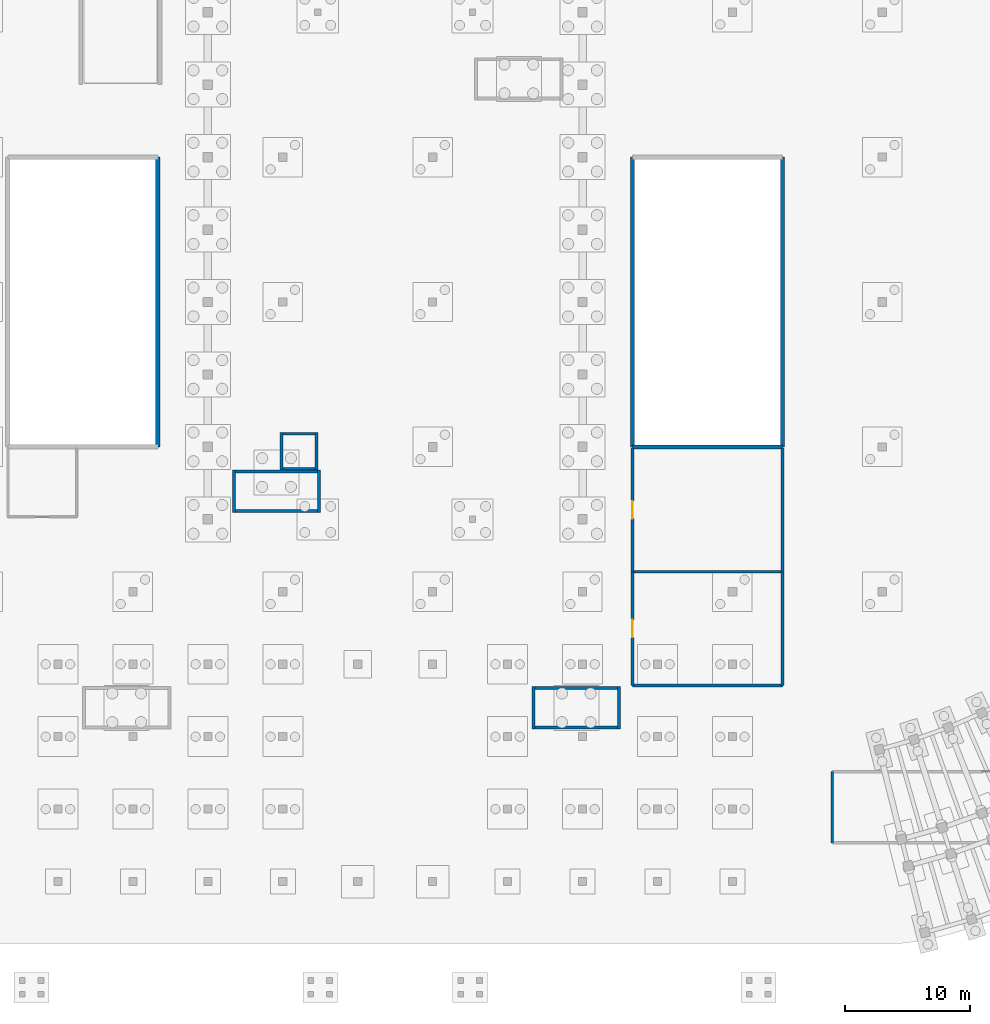
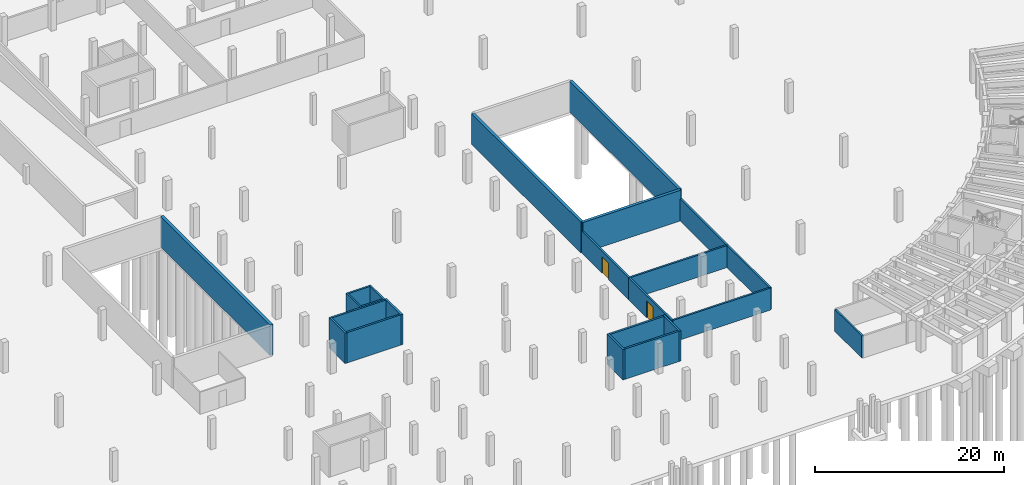
# One storey, part 19 of 29: 23 walls, 2 doors, 2 openings.
"""IFC4 building model written with IfcOpenShell, lengths in metres."""

from ifc_helpers import new_model, si_unit, direction, frame, frame_2d, origin, place, context, subcontext, project, spatial, rectangle, extrude, material, layer, layer_set, type_object, element, fill, save


model = new_model("IFC4")

# Units and contexts
model_context = context("Model", 3, precision=1e-05, world=origin(), true_north=direction((0.0, 1.0)))
body_context = subcontext(model_context, "Body", "Model", "MODEL_VIEW")
ifc_project = project(units=[si_unit("LENGTHUNIT", "METRE"), si_unit("AREAUNIT", "SQUARE_METRE"), si_unit("VOLUMEUNIT", "CUBIC_METRE"), si_unit("PLANEANGLEUNIT", "RADIAN"), si_unit("MASSUNIT", "GRAM", prefix="KILO")], contexts=[model_context])

# Site, building, storey
site_placement = place(None, origin())
site = spatial("IfcSite", under=ifc_project, at=site_placement, CompositionType="ELEMENT")
building_placement = place(site_placement, origin())
building = spatial("IfcBuilding", under=site, at=building_placement, Name="Tanwirah Colonnade Gardens", CompositionType="ELEMENT")
storey_placement = place(building_placement, frame((0.0, 0.0, -4.199951171875)))
storey = spatial("IfcBuildingStorey", under=building, at=storey_placement, Name="B1", CompositionType="ELEMENT", Elevation=-4.199951171875)

# Wall
ifc_material_1 = material(Name="Autoclaved aerated masonry blockwork", Category="masonry")
ifc_layer_1 = layer(ifc_material_1, 0.219970703125)
ifc_layer_set_1 = layer_set([ifc_layer_1], Name="Autoclaved aerated masonry blockwork")
wall_type_1 = type_object("IfcWallType", Name="IW-FFL220", PredefinedType="PARTITIONING", material=ifc_layer_set_1)
wall_1_placement = place(storey_placement, frame((128.0, 13.89990234375, 0.0), z_axis=(0.0, 0.0, 1.0), x_axis=(0.0, 1.0, 0.0)))
element("IfcWall", 1, at=wall_1_placement, inside=storey, type_object=wall_type_1, Name="Interior Partition IW-B1-STR2-W", PredefinedType="PARTITIONING", context=body_context, shape_type="SweptSolid", body=[
    extrude(rectangle(XDim=5.7001953125, YDim=0.219970703125, at=frame_2d((2.85009765625, 0.0))), origin(), (0.0, 0.0, 1.0), 2.849853515625),
])

# Wall, opening, door
wall_2_placement = place(storey_placement, frame((112.0, 26.5, 0.0), z_axis=(0.0, 0.0, 1.0), x_axis=(0.0, 1.0, 0.0)))
wall_2 = element("IfcWall", 2, at=wall_2_placement, inside=storey, type_object=wall_type_1, Name="Interior Partition IW-B1-CYC-W", PredefinedType="PARTITIONING", context=body_context, shape_type="SweptSolid", body=[
    extrude(rectangle(XDim=9.10009765625, YDim=0.219970703125, at=frame_2d((4.550048828125, 0.0))), origin(), (0.0, 0.0, 1.0), 2.849853515625),
])
opening_1_placement = place(wall_2_placement, frame((3.85009765625, 0.0, 0.0)))
opening_1 = element("IfcOpeningElement", 3, at=opening_1_placement, cuts=wall_2, Name="Opening B1-VD1978", PredefinedType="OPENING", context=body_context, shape_type="SweptSolid", body=[
    extrude(rectangle(XDim=1.39990234375, YDim=2.14990234375, at=frame_2d((0.699951171875, 1.074951171875))), frame((0.0, 0.119873046875, 0.0), z_axis=(0.0, -1.0, 0.0), x_axis=(1.0, 0.0, 0.0)), (0.0, 0.0, 1.0), 0.239990234375),
])
ifc_material_2 = material(Name="Steel basement service double fire door", Category="steel")
door_type = type_object("IfcDoorType", Name="ID-B1D14", OperationType="DOUBLE_DOOR_SINGLE_SWING", PredefinedType="DOOR", material=ifc_material_2)
door_1_placement = place(opening_1_placement, origin())
door_1 = element("IfcDoor", 4, at=door_1_placement, inside=storey, type_object=door_type, Name="Civic interior door B1-VD1978", OperationType="DOUBLE_DOOR_SINGLE_SWING", OverallHeight=2.14990234375, OverallWidth=1.39990234375, PredefinedType="DOOR", context=body_context, shape_type="SweptSolid", body=[
    extrude(rectangle(XDim=1.39990234375, YDim=2.14990234375, at=frame_2d((0.699951171875, 1.074951171875))), frame((0.0, 0.02490234375, 0.0), z_axis=(0.0, -1.0, 0.0), x_axis=(1.0, 0.0, 0.0)), (0.0, 0.0, 1.0), 0.050048828125),
])
fill(opening_1, door_1)

# Walls
wall_3_placement = place(storey_placement, frame((112.0, 26.5, 0.0), z_axis=(0.0, 0.0, 1.0), x_axis=(1.0, 0.0, 0.0)))
element("IfcWall", 5, at=wall_3_placement, inside=storey, type_object=wall_type_1, Name="Interior Partition IW-B1-CYC-S", PredefinedType="PARTITIONING", context=body_context, shape_type="SweptSolid", body=[
    extrude(rectangle(XDim=12.0, YDim=0.219970703125, at=frame_2d((6.0, 0.0))), origin(), (0.0, 0.0, 1.0), 2.849853515625),
])
wall_4_placement = place(storey_placement, frame((124.0, 26.5, 0.0), z_axis=(0.0, 0.0, 1.0), x_axis=(0.0, 1.0, 0.0)))
element("IfcWall", 6, at=wall_4_placement, inside=storey, type_object=wall_type_1, Name="Interior Partition IW-B1-CYC-E", PredefinedType="PARTITIONING", context=body_context, shape_type="SweptSolid", body=[
    extrude(rectangle(XDim=9.10009765625, YDim=0.219970703125, at=frame_2d((4.550048828125, 0.0))), origin(), (0.0, 0.0, 1.0), 2.849853515625),
])

# Wall, opening, door
wall_5_placement = place(storey_placement, frame((112.0, 35.60009765625, 0.0), z_axis=(0.0, 0.0, 1.0), x_axis=(0.0, 1.0, 0.0)))
wall_5 = element("IfcWall", 7, at=wall_5_placement, inside=storey, type_object=wall_type_1, Name="Interior Partition IW-B1-REF", PredefinedType="PARTITIONING", context=body_context, shape_type="SweptSolid", body=[
    extrude(rectangle(XDim=9.89990234375, YDim=0.219970703125, at=frame_2d((4.949951171875, 0.0))), origin(), (0.0, 0.0, 1.0), 2.849853515625),
])
opening_2_placement = place(wall_5_placement, frame((4.25, 0.0, 0.0)))
opening_2 = element("IfcOpeningElement", 8, at=opening_2_placement, cuts=wall_5, Name="Opening B1-VD1979", PredefinedType="OPENING", context=body_context, shape_type="SweptSolid", body=[
    extrude(rectangle(XDim=1.39990234375, YDim=2.14990234375, at=frame_2d((0.699951171875, 1.074951171875))), frame((0.0, 0.119873046875, 0.0), z_axis=(0.0, -1.0, 0.0), x_axis=(1.0, 0.0, 0.0)), (0.0, 0.0, 1.0), 0.239990234375),
])
door_2_placement = place(opening_2_placement, origin())
door_2 = element("IfcDoor", 9, at=door_2_placement, inside=storey, type_object=door_type, Name="Civic interior door B1-VD1979", OperationType="DOUBLE_DOOR_SINGLE_SWING", OverallHeight=2.14990234375, OverallWidth=1.39990234375, PredefinedType="DOOR", context=body_context, shape_type="SweptSolid", body=[
    extrude(rectangle(XDim=1.39990234375, YDim=2.14990234375, at=frame_2d((0.699951171875, 1.074951171875))), frame((0.0, 0.02490234375, 0.0), z_axis=(0.0, -1.0, 0.0), x_axis=(1.0, 0.0, 0.0)), (0.0, 0.0, 1.0), 0.050048828125),
])
fill(opening_2, door_2)

# Walls
wall_6_placement = place(storey_placement, frame((112.0, 35.60009765625, 0.0), z_axis=(0.0, 0.0, 1.0), x_axis=(1.0, 0.0, 0.0)))
element("IfcWall", 10, at=wall_6_placement, inside=storey, type_object=wall_type_1, Name="Interior Partition IW-B1-REF-S", PredefinedType="PARTITIONING", context=body_context, shape_type="SweptSolid", body=[
    extrude(rectangle(XDim=12.0, YDim=0.219970703125, at=frame_2d((6.0, 0.0))), origin(), (0.0, 0.0, 1.0), 2.849853515625),
])
wall_7_placement = place(storey_placement, frame((124.0, 35.60009765625, 0.0), z_axis=(0.0, 0.0, 1.0), x_axis=(0.0, 1.0, 0.0)))
element("IfcWall", 11, at=wall_7_placement, inside=storey, type_object=wall_type_1, Name="Interior Partition IW-B1-REF-E", PredefinedType="PARTITIONING", context=body_context, shape_type="SweptSolid", body=[
    extrude(rectangle(XDim=9.89990234375, YDim=0.219970703125, at=frame_2d((4.949951171875, 0.0))), origin(), (0.0, 0.0, 1.0), 2.849853515625),
])
ifc_material_3 = material(Name="Concrete C45/55", Category="concrete")
ifc_layer_2 = layer(ifc_material_3, 0.340087890625)
ifc_layer_set_2 = layer_set([ifc_layer_2], Name="Concrete C45/55")
wall_type_2 = type_object("IfcWallType", Name="SW-B1RET340", PredefinedType="STANDARD", material=ifc_layer_set_2)
wall_8_placement = place(storey_placement, frame((112.0, 45.60009765625, 0.0), z_axis=(0.0, 0.0, 1.0), x_axis=(1.0, 0.0, 0.0)))
element("IfcWall", 12, at=wall_8_placement, inside=storey, type_object=wall_type_2, Name="Basement Courtyard Retaining Wall 2.1", PredefinedType="STANDARD", context=body_context, shape_type="SweptSolid", body=[
    extrude(rectangle(XDim=12.0, YDim=0.340087890625, at=frame_2d((6.0, 0.0))), origin(), (0.0, 0.0, 1.0), 3.969970703125),
])
for number, where, z_axis, x_axis, name in (
    (13, (124.0, 45.60009765625, 0.0), (0.0, 0.0, 1.0), (0.0, 1.0, 0.0), "Basement Courtyard Retaining Wall 2.2"),
    (14, (112.0, 68.800048828125, 0.0), (0.0, 0.0, 1.0), (0.0, -1.0, 0.0), "Basement Courtyard Retaining Wall 2.4"),
):
    element("IfcWall", number, at=place(storey_placement, frame(where, z_axis=z_axis, x_axis=x_axis)), inside=storey, type_object=wall_type_2, Name=name, PredefinedType="STANDARD", context=body_context, shape_type="SweptSolid", body=[
        extrude(rectangle(XDim=23.199951171875, YDim=0.340087890625, at=frame_2d((11.60009765625, 0.0))), origin(), (0.0, 0.0, 1.0), 3.969970703125),
    ])
ifc_layer_3 = layer(ifc_material_3, 0.360107421875)
ifc_layer_set_3 = layer_set([ifc_layer_3], Name="Concrete C45/55")
wall_type_3 = type_object("IfcWallType", Name="SW-B1RET360", PredefinedType="STANDARD", material=ifc_layer_set_3)
wall_9_placement = place(storey_placement, frame((74.0, 45.60009765625, 0.0), z_axis=(0.0, 0.0, 1.0), x_axis=(0.0, 1.0, 0.0)))
element("IfcWall", 15, at=wall_9_placement, inside=storey, type_object=wall_type_3, Name="Basement Courtyard Retaining Wall 1.2", PredefinedType="STANDARD", context=body_context, shape_type="SweptSolid", body=[
    extrude(rectangle(XDim=23.199951171875, YDim=0.360107421875, at=frame_2d((11.60009765625, 0.0))), origin(), (0.0, 0.0, 1.0), 3.969970703125),
])
ifc_layer_4 = layer(ifc_material_3, 0.235107421875)
ifc_layer_set_4 = layer_set([ifc_layer_4], Name="Concrete C45/55")
wall_type_4 = type_object("IfcWallType", Name="SW-CORE235", PredefinedType="SHEAR", material=ifc_layer_set_4)
wall_10_placement = place(storey_placement, frame((80.199951171875, 40.482421875, 0.0), z_axis=(0.0, 0.0, 1.0), x_axis=(1.0, 0.0, 0.0)))
element("IfcWall", 16, at=wall_10_placement, inside=storey, type_object=wall_type_4, Name="CORE-H1 B1 Stair Shaft Shear Wall LEFT", PredefinedType="SHEAR", context=body_context, shape_type="SweptSolid", body=[
    extrude(rectangle(XDim=6.60009765625, YDim=0.235107421875, at=frame_2d((3.300048828125, 0.0))), origin(), (0.0, 0.0, 1.0), 3.919921875),
])
for number, where, z_axis, x_axis, name in (
    (17, (86.91748046875, 40.364990234375, 0.0), (0.0, 0.0, 1.0), (0.0, 1.0, 0.0), "CORE-H1 B1 Stair Shaft Shear Wall FAR"),
    (18, (80.08251953125, 40.364990234375, 0.0), (0.0, 0.0, 1.0), (0.0, 1.0, 0.0), "CORE-H1 B1 Stair Shaft Shear Wall NEAR"),
):
    element("IfcWall", number, at=place(storey_placement, frame(where, z_axis=z_axis, x_axis=x_axis)), inside=storey, type_object=wall_type_4, Name=name, PredefinedType="SHEAR", context=body_context, shape_type="SweptSolid", body=[
        extrude(rectangle(XDim=3.389892578125, YDim=0.235107421875, at=frame_2d((1.69482421875, 0.0))), origin(), (0.0, 0.0, 1.0), 3.919921875),
    ])
for number, where, z_axis, x_axis, name in (
    (19, (80.199951171875, 43.637451171875, 0.0), (0.0, 0.0, 1.0), (1.0, 0.0, 0.0), "CORE-H1 B1 Stair Shaft Shear Wall RIGHT"),
    (20, (104.199951171875, 23.132568359375, 0.0), (0.0, 0.0, 1.0), (1.0, 0.0, 0.0), "CORE-SE B1 Stair Shaft Shear Wall LEFT"),
):
    element("IfcWall", number, at=place(storey_placement, frame(where, z_axis=z_axis, x_axis=x_axis)), inside=storey, type_object=wall_type_4, Name=name, PredefinedType="SHEAR", context=body_context, shape_type="SweptSolid", body=[
        extrude(rectangle(XDim=6.60009765625, YDim=0.235107421875, at=frame_2d((3.300048828125, 0.0))), origin(), (0.0, 0.0, 1.0), 3.919921875),
    ])
for number, where, z_axis, x_axis, name in (
    (21, (110.91748046875, 23.014892578125, 0.0), (0.0, 0.0, 1.0), (0.0, 1.0, 0.0), "CORE-SE B1 Stair Shaft Shear Wall FAR"),
    (22, (104.08251953125, 23.014892578125, 0.0), (0.0, 0.0, 1.0), (0.0, 1.0, 0.0), "CORE-SE B1 Stair Shaft Shear Wall NEAR"),
):
    element("IfcWall", number, at=place(storey_placement, frame(where, z_axis=z_axis, x_axis=x_axis)), inside=storey, type_object=wall_type_4, Name=name, PredefinedType="SHEAR", context=body_context, shape_type="SweptSolid", body=[
        extrude(rectangle(XDim=3.39013671875, YDim=0.235107421875, at=frame_2d((1.695068359375, 0.0))), origin(), (0.0, 0.0, 1.0), 3.919921875),
    ])
wall_11_placement = place(storey_placement, frame((104.199951171875, 26.28759765625, 0.0), z_axis=(0.0, 0.0, 1.0), x_axis=(1.0, 0.0, 0.0)))
element("IfcWall", 23, at=wall_11_placement, inside=storey, type_object=wall_type_4, Name="CORE-SE B1 Stair Shaft Shear Wall RIGHT", PredefinedType="SHEAR", context=body_context, shape_type="SweptSolid", body=[
    extrude(rectangle(XDim=6.60009765625, YDim=0.235107421875, at=frame_2d((3.300048828125, 0.0))), origin(), (0.0, 0.0, 1.0), 3.919921875),
])
ifc_layer_5 = layer(ifc_material_3, 0.215087890625)
ifc_layer_set_5 = layer_set([ifc_layer_5], Name="Concrete C45/55")
wall_type_5 = type_object("IfcWallType", Name="SW-LIFT215", PredefinedType="SHEAR", material=ifc_layer_set_5)
for number, where, z_axis, x_axis, name in (
    (24, (83.892578125, 43.735107421875, 0.0), (0.0, 0.0, 1.0), (0.0, 1.0, 0.0), "CORE-H1 B1 Lift Shaft Wall FRONT"),
    (25, (86.70751953125, 43.735107421875, 0.0), (0.0, 0.0, 1.0), (0.0, 1.0, 0.0), "CORE-H1 B1 Lift Shaft Wall BACK"),
):
    element("IfcWall", number, at=place(storey_placement, frame(where, z_axis=z_axis, x_axis=x_axis)), inside=storey, type_object=wall_type_5, Name=name, PredefinedType="SHEAR", context=body_context, shape_type="SweptSolid", body=[
        extrude(rectangle(XDim=3.02978515625, YDim=0.215087890625, at=frame_2d((1.514892578125, 0.0))), origin(), (0.0, 0.0, 1.0), 3.919921875),
    ])
for number, where, z_axis, x_axis, name in (
    (26, (84.0, 43.842529296875, 0.0), (0.0, 0.0, 1.0), (1.0, 0.0, 0.0), "CORE-H1 B1 Lift Shaft Wall SIDEA"),
    (27, (84.0, 46.657470703125, 0.0), (0.0, 0.0, 1.0), (1.0, 0.0, 0.0), "CORE-H1 B1 Lift Shaft Wall SIDEB"),
):
    element("IfcWall", number, at=place(storey_placement, frame(where, z_axis=z_axis, x_axis=x_axis)), inside=storey, type_object=wall_type_5, Name=name, PredefinedType="SHEAR", context=body_context, shape_type="SweptSolid", body=[
        extrude(rectangle(XDim=2.60009765625, YDim=0.215087890625, at=frame_2d((1.300048828125, 0.0))), origin(), (0.0, 0.0, 1.0), 3.919921875),
    ])

save(model, "model.ifc")
